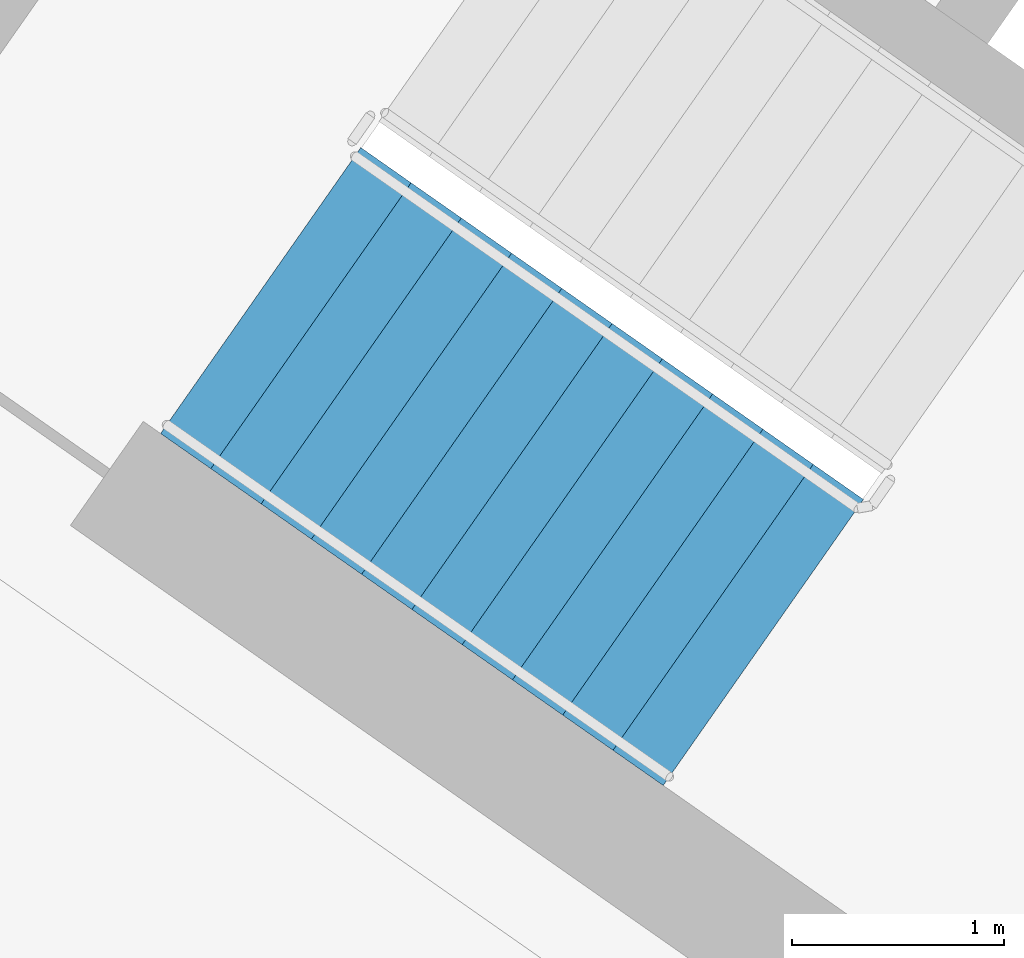
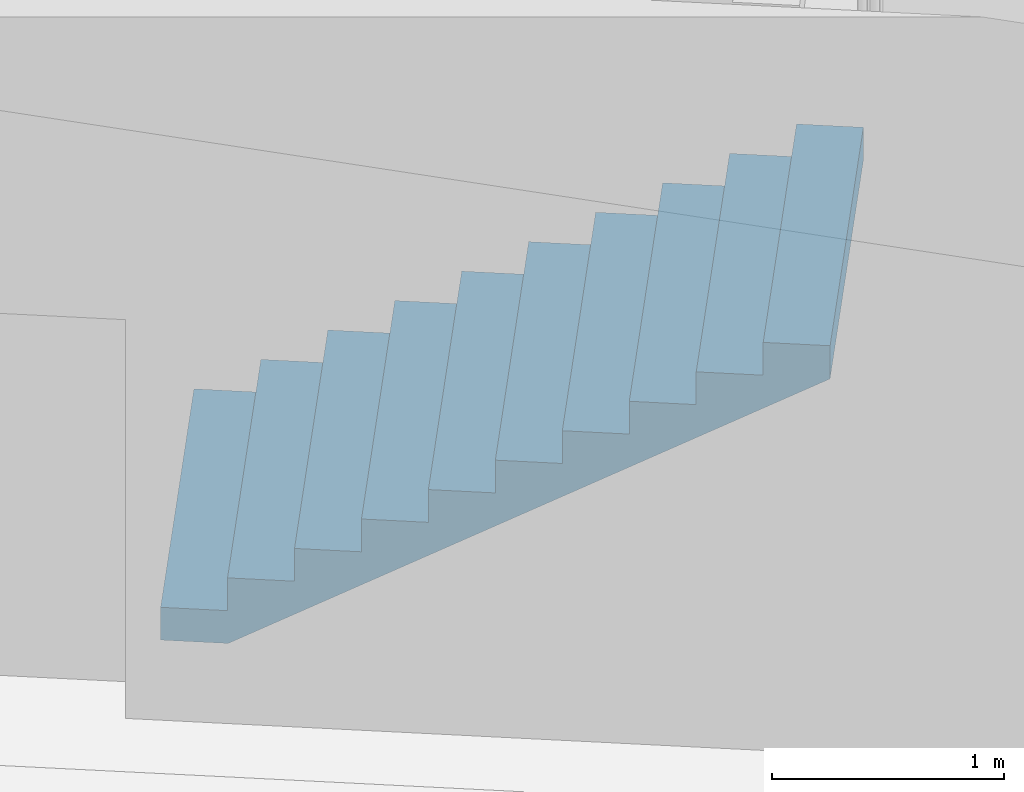
# One storey, part 9 of 28: 1 stair flight, 1 element without a shape of its own.
"""IFC4 building model written with IfcOpenShell, lengths in metres."""

import ifcopenshell
import ifcopenshell.guid

model = None  # the IFC model being written
_history = None  # IfcOwnerHistory: only IFC2X3 demands one
_inside = {}  # id of a spatial element -> (the spatial element, [elements in it])
_under = {}  # id of a project, library or spatial element -> (it, [spatial elements below it])
_declared = {}  # id of a project -> (the project, [libraries it declares])
_typed = {}  # id of a type object -> (the type object, [elements of that type])
_made_of = {}  # id of a material, layer set ... -> (it, [elements and type objects made of it])


def new_model(schema):
    """Start an empty IFC model of exactly this schema.

    Asked for "IFC4X3", IfcOpenShell would pick the latest addendum, in which some entities
    have other attributes; the version numbers below select the first issue.
    IFC2X3 requires an IfcOwnerHistory on every rooted entity: one is made here for all.
    """
    global model, _history
    if schema == "IFC4X3":
        model = ifcopenshell.file(schema_version=(4, 3, 0, 0))
    else:
        model = ifcopenshell.file(schema=schema)
    _inside.clear()
    _under.clear()
    _declared.clear()
    _typed.clear()
    _made_of.clear()
    _history = None
    if model.schema == "IFC2X3":
        org = make("IfcOrganization", Name="unknown")
        user = make(
            "IfcPersonAndOrganization",
            ThePerson=make("IfcPerson", FamilyName="unknown"),
            TheOrganization=org,
        )
        app = make(
            "IfcApplication",
            ApplicationDeveloper=org,
            Version="unknown",
            ApplicationFullName="unknown",
            ApplicationIdentifier="unknown",
        )
        _history = make(
            "IfcOwnerHistory",
            OwningUser=user,
            OwningApplication=app,
            ChangeAction="ADDED",
            CreationDate=0,
        )
    return model


def make(cls, **values):
    """One entity of the class cls with the attributes given. An attribute that is None is left unset."""
    return model.create_entity(
        cls, **{name: value for name, value in values.items() if value is not None}
    )


def rooted(cls, **values):
    """An entity with a GlobalId (a new one), such as an element, a storey or a relation."""
    return make(cls, GlobalId=ifcopenshell.guid.new(), OwnerHistory=_history, **values)


def si_unit(unit_type, name, prefix=None):
    """IfcSIUnit, for example si_unit("LENGTHUNIT", "METRE", prefix="MILLI")."""
    return make("IfcSIUnit", UnitType=unit_type, Prefix=prefix, Name=name)


def assignment(units):
    """IfcUnitAssignment: the units of a project."""
    return None if units is None else make("IfcUnitAssignment", Units=units)


def point(xyz):
    """IfcCartesianPoint."""
    return None if xyz is None else make("IfcCartesianPoint", Coordinates=xyz)


def direction(xyz):
    """IfcDirection."""
    return None if xyz is None else make("IfcDirection", DirectionRatios=xyz)


def frame(location, z_axis=None, x_axis=None):
    """IfcAxis2Placement3D, a coordinate frame: its origin and axes. An axis left out is left unset."""
    return make(
        "IfcAxis2Placement3D",
        Location=point(location),
        Axis=direction(z_axis),
        RefDirection=direction(x_axis),
    )


def origin():
    """The frame at (0, 0, 0) with its axes left unset."""
    return frame((0.0, 0.0, 0.0))


def place(relative_to, where):
    """IfcLocalPlacement: puts the frame where relative to a parent placement (None: the world)."""
    return make(
        "IfcLocalPlacement", PlacementRelTo=relative_to, RelativePlacement=where
    )


def context(
    kind, dimensions, precision=None, world=None, true_north=None, identifier=None
):
    """IfcGeometricRepresentationContext, for example the 3D "Model" context."""
    return make(
        "IfcGeometricRepresentationContext",
        ContextIdentifier=identifier,
        ContextType=kind,
        CoordinateSpaceDimension=dimensions,
        Precision=precision,
        WorldCoordinateSystem=world,
        TrueNorth=true_north,
    )


def subcontext(parent, identifier, kind, view, scale=None):
    """IfcGeometricRepresentationSubContext, for example "Body" below "Model"."""
    return make(
        "IfcGeometricRepresentationSubContext",
        ContextIdentifier=identifier,
        ContextType=kind,
        ParentContext=parent,
        TargetScale=scale,
        TargetView=view,
    )


def project(units=None, contexts=None):
    """IfcProject with its units and contexts."""
    return rooted(
        "IfcProject",
        Name="project",
        RepresentationContexts=contexts,
        UnitsInContext=assignment(units),
    )


def spatial(cls, under=None, at=None, **own):
    """A site, building, storey or space (cls), placed at a placement, below another one or the project."""
    s = rooted(cls, ObjectPlacement=at, **own)
    if under is not None:
        _under.setdefault(under.id(), (under, []))[1].append(s)
    return s


def faces_of(points, faces, orient=None, outer=None):
    """IfcFace entities. A face is a list of loops; a loop is a list of indices into points, from 0.

    orient and outer hold one flag for each loop. By default every Orientation is true, the
    first loop of a face is its IfcFaceOuterBound and the others are IfcFaceBound.
    """
    made = []
    for i, loops in enumerate(faces):
        bounds = []
        for j, loop in enumerate(loops):
            is_outer = j == 0 if outer is None else outer[i][j]
            bounds.append(
                make(
                    "IfcFaceOuterBound" if is_outer else "IfcFaceBound",
                    Bound=make("IfcPolyLoop", Polygon=[points[k] for k in loop]),
                    Orientation=True if orient is None else orient[i][j],
                )
            )
        made.append(make("IfcFace", Bounds=bounds))
    return made


def faceted_brep(points, faces, orient=None, outer=None, voids=None):
    """IfcFacetedBrep: a solid bounded by flat faces; with voids (closed shells), ...WithVoids."""
    shared = [point(p) for p in points]
    hull = make("IfcClosedShell", CfsFaces=faces_of(shared, faces, orient, outer))
    if voids is None:
        return make("IfcFacetedBrep", Outer=hull)
    return make(
        "IfcFacetedBrepWithVoids",
        Outer=hull,
        Voids=[
            make(cls, CfsFaces=faces_of(shared, fs, o, b)) for cls, fs, o, b in voids
        ],
    )


def shape(context_of_items, identifier, shape_type, items):
    """IfcShapeRepresentation: the items that make up one representation, for example the "Body"."""
    return make(
        "IfcShapeRepresentation",
        ContextOfItems=context_of_items,
        RepresentationIdentifier=identifier,
        RepresentationType=shape_type,
        Items=items,
    )


def material(Name=None, Category=None):
    """IfcMaterial."""
    return make("IfcMaterial", Name=Name, Category=Category)


def made_of(thing, what):
    """Note that an element or type object is made of a material, layer set ...; save() writes the relation."""
    if what is not None:
        _made_of.setdefault(what.id(), (what, []))[1].append(thing)
    return thing


def type_object(cls, material=None, **own):
    """A type object (cls), such as IfcWallType, which elements share."""
    return made_of(rooted(cls, **own), material)


def element(
    cls,
    number,
    at=None,
    inside=None,
    cuts=None,
    type_object=None,
    material=None,
    context=None,
    identifier="Body",
    shape_type=None,
    held_by="IfcProductDefinitionShape",
    body=None,
    shapes=None,
    **own,
):
    """One element of the class cls, such as IfcWall. Its Tag is "e" and its number.

    at: its placement. inside: the storey or other place that contains it. cuts: it is an
    opening in that element (IfcRelVoidsElement). A single representation is given by context,
    identifier, shape_type and body (its items); several are given by shapes. held_by: the class
    of the entity that holds the representations. save() writes the other relations.
    """
    e = rooted(cls, Tag="e%d" % number, ObjectPlacement=at, **own)
    if body is not None:
        shapes = [shape(context, identifier, shape_type, body)]
    if shapes is not None:
        e.Representation = make(held_by, Representations=shapes)
    if inside is not None:
        _inside.setdefault(inside.id(), (inside, []))[1].append(e)
    if cuts is not None:
        rooted(
            "IfcRelVoidsElement", RelatingBuildingElement=cuts, RelatedOpeningElement=e
        )
    if type_object is not None:
        _typed.setdefault(type_object.id(), (type_object, []))[1].append(e)
    return made_of(e, material)


def aggregate(whole, parts):
    """IfcRelAggregates: a whole, such as a stair, and the parts it consists of."""
    return rooted("IfcRelAggregates", RelatingObject=whole, RelatedObjects=parts)


def save(model, path):
    """Write the relations noted so far, then the file.

    IfcRelAggregates (storeys below a building ...), IfcRelContainedInSpatialStructure (elements
    in a storey), IfcRelDefinesByType, IfcRelAssociatesMaterial and IfcRelDeclares: one each for
    every whole, place, type object, material and project.
    """
    for whole, parts in _under.values():
        aggregate(whole, parts)
    for where, things in _inside.values():
        rooted(
            "IfcRelContainedInSpatialStructure",
            RelatedElements=things,
            RelatingStructure=where,
        )
    for kind, things in _typed.values():
        rooted("IfcRelDefinesByType", RelatedObjects=things, RelatingType=kind)
    for what, things in _made_of.values():
        rooted("IfcRelAssociatesMaterial", RelatedObjects=things, RelatingMaterial=what)
    for by, libraries in _declared.values():
        rooted("IfcRelDeclares", RelatingContext=by, RelatedDefinitions=libraries)
    model.write(path)


model = new_model("IFC4")

# Units and contexts
model_context = context("Model", 3, precision=1e-05, world=origin(), true_north=direction((0.0, 1.0)))
body_context = subcontext(model_context, "Body", "Model", "MODEL_VIEW")
ifc_project = project(units=[si_unit("LENGTHUNIT", "METRE"), si_unit("AREAUNIT", "SQUARE_METRE"), si_unit("VOLUMEUNIT", "CUBIC_METRE"), si_unit("PLANEANGLEUNIT", "RADIAN"), si_unit("MASSUNIT", "GRAM", prefix="KILO")], contexts=[model_context])

# Site, building, storey
site_placement = place(None, origin())
site = spatial("IfcSite", under=ifc_project, at=site_placement, CompositionType="ELEMENT")
building_placement = place(site_placement, origin())
building = spatial("IfcBuilding", under=site, at=building_placement, Name="Qamariyya Broadcast Tower", CompositionType="ELEMENT")
storey_placement = place(building_placement, frame((0.0, 0.0, 241.699951171875)))
storey = spatial("IfcBuildingStorey", under=building, at=storey_placement, Name="L58", CompositionType="ELEMENT", Elevation=241.699951171875)

# Stair, stair flight
ifc_material = material(Name="Concrete C50/60", Category="concrete")
stair_type = type_object("IfcStairType", Name="Exit stair 22 risers of 173 mm", PredefinedType="HALF_TURN_STAIR", material=ifc_material)
stair_placement = place(storey_placement, origin())
stair = element("IfcStair", 1, at=stair_placement, inside=storey, type_object=stair_type, Name="L58 Stair W1", PredefinedType="HALF_TURN_STAIR")
stair_flight_type = type_object("IfcStairFlightType", Name="Exit stair flight 11 risers of 173 mm", PredefinedType="STRAIGHT", material=ifc_material)
stair_flight_placement = place(storey_placement, frame((-47.06884765625, -56.982666015625, 0.0), z_axis=(0.0, 0.0, 1.0), x_axis=(0.819152044289, -0.573576436351, 0.0)))
stair_flight = element("IfcStairFlight", 2, at=stair_flight_placement, type_object=stair_flight_type, Name="ST-W1 flight 1", NumberOfRisers=11, NumberOfTreads=10, PredefinedType="STRAIGHT", RiserHeight=0.172727273, TreadLength=0.29, context=body_context, shape_type="Brep", body=[
    faceted_brep([(0.0, 0.824951171875, 0.0), (0.0, 0.824951171875, 0.172607421875), (0.2900390625, 0.824951171875, 0.172607421875), (0.2900390625, 0.824951171875, 0.345458984375), (0.580078125, 0.824951171875, 0.345458984375), (0.580078125, 0.824951171875, 0.51806640625), (0.8701171875, 0.824951171875, 0.51806640625), (0.8701171875, 0.824951171875, 0.69091796875), (1.159912109375, 0.824951171875, 0.69091796875), (1.159912109375, 0.824951171875, 0.863525390625), (1.449951171875, 0.824951171875, 0.863525390625), (1.449951171875, 0.824951171875, 1.036376953125), (1.739990234375, 0.824951171875, 1.036376953125), (1.739990234375, 0.824951171875, 1.208984375), (2.030029296875, 0.824951171875, 1.208984375), (2.030029296875, 0.824951171875, 1.3818359375), (2.320068359375, 0.824951171875, 1.3818359375), (2.320068359375, 0.824951171875, 1.554443359375), (2.610107421875, 0.824951171875, 1.554443359375), (2.610107421875, 0.824951171875, 1.727294921875), (2.89990234375, 0.824951171875, 1.727294921875), (2.89990234375, 0.824951171875, 1.552734375), (0.29296875, 0.824951171875, 0.0), (0.29296875, -0.824951171875, 0.0), (2.89990234375, -0.824951171875, 1.552734375), (2.89990234375, -0.824951171875, 1.727294921875), (2.610107421875, -0.824951171875, 1.727294921875), (2.610107421875, -0.824951171875, 1.554443359375), (2.320068359375, -0.824951171875, 1.554443359375), (2.320068359375, -0.824951171875, 1.3818359375), (2.030029296875, -0.824951171875, 1.3818359375), (2.030029296875, -0.824951171875, 1.208984375), (1.739990234375, -0.824951171875, 1.208984375), (1.739990234375, -0.824951171875, 1.036376953125), (1.449951171875, -0.824951171875, 1.036376953125), (1.449951171875, -0.824951171875, 0.863525390625), (1.159912109375, -0.824951171875, 0.863525390625), (1.159912109375, -0.824951171875, 0.69091796875), (0.8701171875, -0.824951171875, 0.69091796875), (0.8701171875, -0.824951171875, 0.51806640625), (0.580078125, -0.824951171875, 0.51806640625), (0.580078125, -0.824951171875, 0.345458984375), (0.2900390625, -0.824951171875, 0.345458984375), (0.2900390625, -0.824951171875, 0.172607421875), (0.0, -0.824951171875, 0.172607421875), (0.0, -0.824951171875, 0.0), (0.0, 0.10009765625, 0.0), (0.0, 0.086669921875, 0.0), (0.0, 0.0732421875, 0.0), (0.0, 0.06005859375, 0.0), (0.0, 0.046630859375, 0.0), (0.0, 0.033447265625, 0.0), (0.0, 0.02001953125, 0.0), (0.0, 0.006591796875, 0.0), (0.0, -0.006591796875, 0.0), (0.0, -0.02001953125, 0.0), (0.0, -0.033447265625, 0.0), (0.0, -0.046630859375, 0.0), (0.0, -0.06005859375, 0.0), (0.0, -0.0732421875, 0.0), (0.0, -0.086669921875, 0.0), (0.0, -0.10009765625, 0.0), (0.0, -0.10009765625, 0.172607421875), (0.0, -0.086669921875, 0.172607421875), (0.0, -0.0732421875, 0.172607421875), (0.0, -0.06005859375, 0.172607421875), (0.0, -0.046630859375, 0.172607421875), (0.0, -0.033447265625, 0.172607421875), (0.0, -0.02001953125, 0.172607421875), (0.0, -0.006591796875, 0.172607421875), (0.0, 0.006591796875, 0.172607421875), (0.0, 0.02001953125, 0.172607421875), (0.0, 0.033447265625, 0.172607421875), (0.0, 0.046630859375, 0.172607421875), (0.0, 0.06005859375, 0.172607421875), (0.0, 0.0732421875, 0.172607421875), (0.0, 0.086669921875, 0.172607421875), (0.0, 0.10009765625, 0.172607421875), (0.2900390625, -0.10009765625, 0.172607421875), (0.2900390625, -0.086669921875, 0.172607421875), (0.2900390625, -0.0732421875, 0.172607421875), (0.2900390625, -0.06005859375, 0.172607421875), (0.2900390625, -0.046630859375, 0.172607421875), (0.2900390625, -0.033447265625, 0.172607421875), (0.2900390625, -0.02001953125, 0.172607421875), (0.2900390625, -0.006591796875, 0.172607421875), (0.2900390625, 0.006591796875, 0.172607421875), (0.2900390625, 0.02001953125, 0.172607421875), (0.2900390625, 0.033447265625, 0.172607421875), (0.2900390625, 0.046630859375, 0.172607421875), (0.2900390625, 0.06005859375, 0.172607421875), (0.2900390625, 0.0732421875, 0.172607421875), (0.2900390625, 0.086669921875, 0.172607421875), (0.2900390625, 0.10009765625, 0.172607421875), (0.2900390625, -0.10009765625, 0.345458984375), (0.2900390625, -0.086669921875, 0.345458984375), (0.2900390625, -0.0732421875, 0.345458984375), (0.2900390625, -0.06005859375, 0.345458984375), (0.2900390625, -0.046630859375, 0.345458984375), (0.2900390625, -0.033447265625, 0.345458984375), (0.2900390625, -0.02001953125, 0.345458984375), (0.2900390625, -0.006591796875, 0.345458984375), (0.2900390625, 0.006591796875, 0.345458984375), (0.2900390625, 0.02001953125, 0.345458984375), (0.2900390625, 0.033447265625, 0.345458984375), (0.2900390625, 0.046630859375, 0.345458984375), (0.2900390625, 0.06005859375, 0.345458984375), (0.2900390625, 0.0732421875, 0.345458984375), (0.2900390625, 0.086669921875, 0.345458984375), (0.2900390625, 0.10009765625, 0.345458984375), (0.580078125, -0.10009765625, 0.345458984375), (0.580078125, -0.086669921875, 0.345458984375), (0.580078125, -0.0732421875, 0.345458984375), (0.580078125, -0.06005859375, 0.345458984375), (0.580078125, -0.046630859375, 0.345458984375), (0.580078125, -0.033447265625, 0.345458984375), (0.580078125, -0.02001953125, 0.345458984375), (0.580078125, -0.006591796875, 0.345458984375), (0.580078125, 0.006591796875, 0.345458984375), (0.580078125, 0.02001953125, 0.345458984375), (0.580078125, 0.033447265625, 0.345458984375), (0.580078125, 0.046630859375, 0.345458984375), (0.580078125, 0.06005859375, 0.345458984375), (0.580078125, 0.0732421875, 0.345458984375), (0.580078125, 0.086669921875, 0.345458984375), (0.580078125, 0.10009765625, 0.345458984375), (0.580078125, -0.10009765625, 0.51806640625), (0.580078125, -0.086669921875, 0.51806640625), (0.580078125, -0.0732421875, 0.51806640625), (0.580078125, -0.06005859375, 0.51806640625), (0.580078125, -0.046630859375, 0.51806640625), (0.580078125, -0.033447265625, 0.51806640625), (0.580078125, -0.02001953125, 0.51806640625), (0.580078125, -0.006591796875, 0.51806640625), (0.580078125, 0.006591796875, 0.51806640625), (0.580078125, 0.02001953125, 0.51806640625), (0.580078125, 0.033447265625, 0.51806640625), (0.580078125, 0.046630859375, 0.51806640625), (0.580078125, 0.06005859375, 0.51806640625), (0.580078125, 0.0732421875, 0.51806640625), (0.580078125, 0.086669921875, 0.51806640625), (0.580078125, 0.10009765625, 0.51806640625), (0.8701171875, -0.10009765625, 0.51806640625), (0.8701171875, -0.086669921875, 0.51806640625), (0.8701171875, -0.0732421875, 0.51806640625), (0.8701171875, -0.06005859375, 0.51806640625), (0.8701171875, -0.046630859375, 0.51806640625), (0.8701171875, -0.033447265625, 0.51806640625), (0.8701171875, -0.02001953125, 0.51806640625), (0.8701171875, -0.006591796875, 0.51806640625), (0.8701171875, 0.006591796875, 0.51806640625), (0.8701171875, 0.02001953125, 0.51806640625), (0.8701171875, 0.033447265625, 0.51806640625), (0.8701171875, 0.046630859375, 0.51806640625), (0.8701171875, 0.06005859375, 0.51806640625), (0.8701171875, 0.0732421875, 0.51806640625), (0.8701171875, 0.086669921875, 0.51806640625), (0.8701171875, 0.10009765625, 0.51806640625), (0.8701171875, -0.10009765625, 0.69091796875), (0.8701171875, -0.086669921875, 0.69091796875), (0.8701171875, -0.0732421875, 0.69091796875), (0.8701171875, -0.06005859375, 0.69091796875), (0.8701171875, -0.046630859375, 0.69091796875), (0.8701171875, -0.033447265625, 0.69091796875), (0.8701171875, -0.02001953125, 0.69091796875), (0.8701171875, -0.006591796875, 0.69091796875), (0.8701171875, 0.006591796875, 0.69091796875), (0.8701171875, 0.02001953125, 0.69091796875), (0.8701171875, 0.033447265625, 0.69091796875), (0.8701171875, 0.046630859375, 0.69091796875), (0.8701171875, 0.06005859375, 0.69091796875), (0.8701171875, 0.0732421875, 0.69091796875), (0.8701171875, 0.086669921875, 0.69091796875), (0.8701171875, 0.10009765625, 0.69091796875), (1.159912109375, -0.10009765625, 0.69091796875), (1.159912109375, -0.086669921875, 0.69091796875), (1.159912109375, -0.0732421875, 0.69091796875), (1.159912109375, -0.06005859375, 0.69091796875), (1.159912109375, -0.046630859375, 0.69091796875), (1.159912109375, -0.033447265625, 0.69091796875), (1.159912109375, -0.02001953125, 0.69091796875), (1.159912109375, -0.006591796875, 0.69091796875), (1.159912109375, 0.006591796875, 0.69091796875), (1.159912109375, 0.02001953125, 0.69091796875), (1.159912109375, 0.033447265625, 0.69091796875), (1.159912109375, 0.046630859375, 0.69091796875), (1.159912109375, 0.06005859375, 0.69091796875), (1.159912109375, 0.0732421875, 0.69091796875), (1.159912109375, 0.086669921875, 0.69091796875), (1.159912109375, 0.10009765625, 0.69091796875), (1.159912109375, -0.10009765625, 0.863525390625), (1.159912109375, -0.086669921875, 0.863525390625), (1.159912109375, -0.0732421875, 0.863525390625), (1.159912109375, -0.06005859375, 0.863525390625), (1.159912109375, -0.046630859375, 0.863525390625), (1.159912109375, -0.033447265625, 0.863525390625), (1.159912109375, -0.02001953125, 0.863525390625), (1.159912109375, -0.006591796875, 0.863525390625), (1.159912109375, 0.006591796875, 0.863525390625), (1.159912109375, 0.02001953125, 0.863525390625), (1.159912109375, 0.033447265625, 0.863525390625), (1.159912109375, 0.046630859375, 0.863525390625), (1.159912109375, 0.06005859375, 0.863525390625), (1.159912109375, 0.0732421875, 0.863525390625), (1.159912109375, 0.086669921875, 0.863525390625), (1.159912109375, 0.10009765625, 0.863525390625), (1.449951171875, -0.10009765625, 0.863525390625), (1.449951171875, -0.086669921875, 0.863525390625), (1.449951171875, -0.0732421875, 0.863525390625), (1.449951171875, -0.06005859375, 0.863525390625), (1.449951171875, -0.046630859375, 0.863525390625), (1.449951171875, -0.033447265625, 0.863525390625), (1.449951171875, -0.02001953125, 0.863525390625), (1.449951171875, -0.006591796875, 0.863525390625), (1.449951171875, 0.006591796875, 0.863525390625), (1.449951171875, 0.02001953125, 0.863525390625), (1.449951171875, 0.033447265625, 0.863525390625), (1.449951171875, 0.046630859375, 0.863525390625), (1.449951171875, 0.06005859375, 0.863525390625), (1.449951171875, 0.0732421875, 0.863525390625), (1.449951171875, 0.086669921875, 0.863525390625), (1.449951171875, 0.10009765625, 0.863525390625), (1.449951171875, -0.10009765625, 1.036376953125), (1.449951171875, -0.086669921875, 1.036376953125), (1.449951171875, -0.0732421875, 1.036376953125), (1.449951171875, -0.06005859375, 1.036376953125), (1.449951171875, -0.046630859375, 1.036376953125), (1.449951171875, -0.033447265625, 1.036376953125), (1.449951171875, -0.02001953125, 1.036376953125), (1.449951171875, -0.006591796875, 1.036376953125), (1.449951171875, 0.006591796875, 1.036376953125), (1.449951171875, 0.02001953125, 1.036376953125), (1.449951171875, 0.033447265625, 1.036376953125), (1.449951171875, 0.046630859375, 1.036376953125), (1.449951171875, 0.06005859375, 1.036376953125), (1.449951171875, 0.0732421875, 1.036376953125), (1.449951171875, 0.086669921875, 1.036376953125), (1.449951171875, 0.10009765625, 1.036376953125), (1.739990234375, -0.10009765625, 1.036376953125), (1.739990234375, -0.086669921875, 1.036376953125), (1.739990234375, -0.0732421875, 1.036376953125), (1.739990234375, -0.06005859375, 1.036376953125), (1.739990234375, -0.046630859375, 1.036376953125), (1.739990234375, -0.033447265625, 1.036376953125), (1.739990234375, -0.02001953125, 1.036376953125), (1.739990234375, -0.006591796875, 1.036376953125), (1.739990234375, 0.006591796875, 1.036376953125), (1.739990234375, 0.02001953125, 1.036376953125), (1.739990234375, 0.033447265625, 1.036376953125), (1.739990234375, 0.046630859375, 1.036376953125), (1.739990234375, 0.06005859375, 1.036376953125), (1.739990234375, 0.0732421875, 1.036376953125), (1.739990234375, 0.086669921875, 1.036376953125), (1.739990234375, 0.10009765625, 1.036376953125), (1.739990234375, -0.10009765625, 1.208984375), (1.739990234375, -0.086669921875, 1.208984375), (1.739990234375, -0.0732421875, 1.208984375), (1.739990234375, -0.06005859375, 1.208984375), (1.739990234375, -0.046630859375, 1.208984375), (1.739990234375, -0.033447265625, 1.208984375), (1.739990234375, -0.02001953125, 1.208984375), (1.739990234375, -0.006591796875, 1.208984375), (1.739990234375, 0.006591796875, 1.208984375), (1.739990234375, 0.02001953125, 1.208984375), (1.739990234375, 0.033447265625, 1.208984375), (1.739990234375, 0.046630859375, 1.208984375), (1.739990234375, 0.06005859375, 1.208984375), (1.739990234375, 0.0732421875, 1.208984375), (1.739990234375, 0.086669921875, 1.208984375), (1.739990234375, 0.10009765625, 1.208984375), (2.030029296875, -0.10009765625, 1.208984375), (2.030029296875, -0.086669921875, 1.208984375), (2.030029296875, -0.0732421875, 1.208984375), (2.030029296875, -0.06005859375, 1.208984375), (2.030029296875, -0.046630859375, 1.208984375), (2.030029296875, -0.033447265625, 1.208984375), (2.030029296875, -0.02001953125, 1.208984375), (2.030029296875, -0.006591796875, 1.208984375), (2.030029296875, 0.006591796875, 1.208984375), (2.030029296875, 0.02001953125, 1.208984375), (2.030029296875, 0.033447265625, 1.208984375), (2.030029296875, 0.046630859375, 1.208984375), (2.030029296875, 0.06005859375, 1.208984375), (2.030029296875, 0.0732421875, 1.208984375), (2.030029296875, 0.086669921875, 1.208984375), (2.030029296875, 0.10009765625, 1.208984375), (2.030029296875, -0.10009765625, 1.3818359375), (2.030029296875, -0.086669921875, 1.3818359375), (2.030029296875, -0.0732421875, 1.3818359375), (2.030029296875, -0.06005859375, 1.3818359375), (2.030029296875, -0.046630859375, 1.3818359375), (2.030029296875, -0.033447265625, 1.3818359375), (2.030029296875, -0.02001953125, 1.3818359375), (2.030029296875, -0.006591796875, 1.3818359375), (2.030029296875, 0.006591796875, 1.3818359375), (2.030029296875, 0.02001953125, 1.3818359375), (2.030029296875, 0.033447265625, 1.3818359375), (2.030029296875, 0.046630859375, 1.3818359375), (2.030029296875, 0.06005859375, 1.3818359375), (2.030029296875, 0.0732421875, 1.3818359375), (2.030029296875, 0.086669921875, 1.3818359375), (2.030029296875, 0.10009765625, 1.3818359375), (2.320068359375, -0.10009765625, 1.3818359375), (2.320068359375, -0.086669921875, 1.3818359375), (2.320068359375, -0.0732421875, 1.3818359375), (2.320068359375, -0.06005859375, 1.3818359375), (2.320068359375, -0.046630859375, 1.3818359375), (2.320068359375, -0.033447265625, 1.3818359375), (2.320068359375, -0.02001953125, 1.3818359375), (2.320068359375, -0.006591796875, 1.3818359375), (2.320068359375, 0.006591796875, 1.3818359375), (2.320068359375, 0.02001953125, 1.3818359375), (2.320068359375, 0.033447265625, 1.3818359375), (2.320068359375, 0.046630859375, 1.3818359375), (2.320068359375, 0.06005859375, 1.3818359375), (2.320068359375, 0.0732421875, 1.3818359375), (2.320068359375, 0.086669921875, 1.3818359375), (2.320068359375, 0.10009765625, 1.3818359375), (2.320068359375, -0.10009765625, 1.554443359375), (2.320068359375, -0.086669921875, 1.554443359375), (2.320068359375, -0.0732421875, 1.554443359375), (2.320068359375, -0.06005859375, 1.554443359375), (2.320068359375, -0.046630859375, 1.554443359375), (2.320068359375, -0.033447265625, 1.554443359375), (2.320068359375, -0.02001953125, 1.554443359375), (2.320068359375, -0.006591796875, 1.554443359375), (2.320068359375, 0.006591796875, 1.554443359375), (2.320068359375, 0.02001953125, 1.554443359375), (2.320068359375, 0.033447265625, 1.554443359375), (2.320068359375, 0.046630859375, 1.554443359375), (2.320068359375, 0.06005859375, 1.554443359375), (2.320068359375, 0.0732421875, 1.554443359375), (2.320068359375, 0.086669921875, 1.554443359375), (2.320068359375, 0.10009765625, 1.554443359375), (2.610107421875, -0.10009765625, 1.554443359375), (2.610107421875, -0.086669921875, 1.554443359375), (2.610107421875, -0.0732421875, 1.554443359375), (2.610107421875, -0.06005859375, 1.554443359375), (2.610107421875, -0.046630859375, 1.554443359375), (2.610107421875, -0.033447265625, 1.554443359375), (2.610107421875, -0.02001953125, 1.554443359375), (2.610107421875, -0.006591796875, 1.554443359375), (2.610107421875, 0.006591796875, 1.554443359375), (2.610107421875, 0.02001953125, 1.554443359375), (2.610107421875, 0.033447265625, 1.554443359375), (2.610107421875, 0.046630859375, 1.554443359375), (2.610107421875, 0.06005859375, 1.554443359375), (2.610107421875, 0.0732421875, 1.554443359375), (2.610107421875, 0.086669921875, 1.554443359375), (2.610107421875, 0.10009765625, 1.554443359375), (2.610107421875, -0.10009765625, 1.727294921875), (2.610107421875, -0.086669921875, 1.727294921875), (2.610107421875, -0.0732421875, 1.727294921875), (2.610107421875, -0.06005859375, 1.727294921875), (2.610107421875, -0.046630859375, 1.727294921875), (2.610107421875, -0.033447265625, 1.727294921875), (2.610107421875, -0.02001953125, 1.727294921875), (2.610107421875, -0.006591796875, 1.727294921875), (2.610107421875, 0.006591796875, 1.727294921875), (2.610107421875, 0.02001953125, 1.727294921875), (2.610107421875, 0.033447265625, 1.727294921875), (2.610107421875, 0.046630859375, 1.727294921875), (2.610107421875, 0.06005859375, 1.727294921875), (2.610107421875, 0.0732421875, 1.727294921875), (2.610107421875, 0.086669921875, 1.727294921875), (2.610107421875, 0.10009765625, 1.727294921875), (2.89990234375, -0.10009765625, 1.727294921875), (2.89990234375, -0.086669921875, 1.727294921875), (2.89990234375, -0.0732421875, 1.727294921875), (2.89990234375, -0.06005859375, 1.727294921875), (2.89990234375, -0.046630859375, 1.727294921875), (2.89990234375, -0.033447265625, 1.727294921875), (2.89990234375, -0.02001953125, 1.727294921875), (2.89990234375, -0.006591796875, 1.727294921875), (2.89990234375, 0.006591796875, 1.727294921875), (2.89990234375, 0.02001953125, 1.727294921875), (2.89990234375, 0.033447265625, 1.727294921875), (2.89990234375, 0.046630859375, 1.727294921875), (2.89990234375, 0.06005859375, 1.727294921875), (2.89990234375, 0.0732421875, 1.727294921875), (2.89990234375, 0.086669921875, 1.727294921875), (2.89990234375, 0.10009765625, 1.727294921875), (2.89990234375, -0.10009765625, 1.552734375), (2.89990234375, -0.086669921875, 1.552734375), (2.89990234375, -0.0732421875, 1.552734375), (2.89990234375, -0.06005859375, 1.552734375), (2.89990234375, -0.046630859375, 1.552734375), (2.89990234375, -0.033447265625, 1.552734375), (2.89990234375, -0.02001953125, 1.552734375), (2.89990234375, -0.006591796875, 1.552734375), (2.89990234375, 0.006591796875, 1.552734375), (2.89990234375, 0.02001953125, 1.552734375), (2.89990234375, 0.033447265625, 1.552734375), (2.89990234375, 0.046630859375, 1.552734375), (2.89990234375, 0.06005859375, 1.552734375), (2.89990234375, 0.0732421875, 1.552734375), (2.89990234375, 0.086669921875, 1.552734375), (2.89990234375, 0.10009765625, 1.552734375), (0.29296875, -0.10009765625, 0.0), (0.29296875, -0.086669921875, 0.0), (0.29296875, -0.0732421875, 0.0), (0.29296875, -0.06005859375, 0.0), (0.29296875, -0.046630859375, 0.0), (0.29296875, -0.033447265625, 0.0), (0.29296875, -0.02001953125, 0.0), (0.29296875, -0.006591796875, 0.0), (0.29296875, 0.006591796875, 0.0), (0.29296875, 0.02001953125, 0.0), (0.29296875, 0.033447265625, 0.0), (0.29296875, 0.046630859375, 0.0), (0.29296875, 0.06005859375, 0.0), (0.29296875, 0.0732421875, 0.0), (0.29296875, 0.086669921875, 0.0), (0.29296875, 0.10009765625, 0.0)], [[[0, 1, 2, 3, 4, 5, 6, 7, 8, 9, 10, 11, 12, 13, 14, 15, 16, 17, 18, 19, 20, 21, 22]], [[23, 24, 25, 26, 27, 28, 29, 30, 31, 32, 33, 34, 35, 36, 37, 38, 39, 40, 41, 42, 43, 44, 45]], [[0, 46, 47, 48, 49, 50, 51, 52, 53, 54, 55, 56, 57, 58, 59, 60, 61, 45, 44, 62, 63, 64, 65, 66, 67, 68, 69, 70, 71, 72, 73, 74, 75, 76, 77, 1]], [[1, 77, 76, 75, 74, 73, 72, 71, 70, 69, 68, 67, 66, 65, 64, 63, 62, 44, 43, 78, 79, 80, 81, 82, 83, 84, 85, 86, 87, 88, 89, 90, 91, 92, 93, 2]], [[2, 93, 92, 91, 90, 89, 88, 87, 86, 85, 84, 83, 82, 81, 80, 79, 78, 43, 42, 94, 95, 96, 97, 98, 99, 100, 101, 102, 103, 104, 105, 106, 107, 108, 109, 3]], [[3, 109, 108, 107, 106, 105, 104, 103, 102, 101, 100, 99, 98, 97, 96, 95, 94, 42, 41, 110, 111, 112, 113, 114, 115, 116, 117, 118, 119, 120, 121, 122, 123, 124, 125, 4]], [[4, 125, 124, 123, 122, 121, 120, 119, 118, 117, 116, 115, 114, 113, 112, 111, 110, 41, 40, 126, 127, 128, 129, 130, 131, 132, 133, 134, 135, 136, 137, 138, 139, 140, 141, 5]], [[5, 141, 140, 139, 138, 137, 136, 135, 134, 133, 132, 131, 130, 129, 128, 127, 126, 40, 39, 142, 143, 144, 145, 146, 147, 148, 149, 150, 151, 152, 153, 154, 155, 156, 157, 6]], [[6, 157, 156, 155, 154, 153, 152, 151, 150, 149, 148, 147, 146, 145, 144, 143, 142, 39, 38, 158, 159, 160, 161, 162, 163, 164, 165, 166, 167, 168, 169, 170, 171, 172, 173, 7]], [[7, 173, 172, 171, 170, 169, 168, 167, 166, 165, 164, 163, 162, 161, 160, 159, 158, 38, 37, 174, 175, 176, 177, 178, 179, 180, 181, 182, 183, 184, 185, 186, 187, 188, 189, 8]], [[8, 189, 188, 187, 186, 185, 184, 183, 182, 181, 180, 179, 178, 177, 176, 175, 174, 37, 36, 190, 191, 192, 193, 194, 195, 196, 197, 198, 199, 200, 201, 202, 203, 204, 205, 9]], [[9, 205, 204, 203, 202, 201, 200, 199, 198, 197, 196, 195, 194, 193, 192, 191, 190, 36, 35, 206, 207, 208, 209, 210, 211, 212, 213, 214, 215, 216, 217, 218, 219, 220, 221, 10]], [[10, 221, 220, 219, 218, 217, 216, 215, 214, 213, 212, 211, 210, 209, 208, 207, 206, 35, 34, 222, 223, 224, 225, 226, 227, 228, 229, 230, 231, 232, 233, 234, 235, 236, 237, 11]], [[11, 237, 236, 235, 234, 233, 232, 231, 230, 229, 228, 227, 226, 225, 224, 223, 222, 34, 33, 238, 239, 240, 241, 242, 243, 244, 245, 246, 247, 248, 249, 250, 251, 252, 253, 12]], [[12, 253, 252, 251, 250, 249, 248, 247, 246, 245, 244, 243, 242, 241, 240, 239, 238, 33, 32, 254, 255, 256, 257, 258, 259, 260, 261, 262, 263, 264, 265, 266, 267, 268, 269, 13]], [[13, 269, 268, 267, 266, 265, 264, 263, 262, 261, 260, 259, 258, 257, 256, 255, 254, 32, 31, 270, 271, 272, 273, 274, 275, 276, 277, 278, 279, 280, 281, 282, 283, 284, 285, 14]], [[14, 285, 284, 283, 282, 281, 280, 279, 278, 277, 276, 275, 274, 273, 272, 271, 270, 31, 30, 286, 287, 288, 289, 290, 291, 292, 293, 294, 295, 296, 297, 298, 299, 300, 301, 15]], [[15, 301, 300, 299, 298, 297, 296, 295, 294, 293, 292, 291, 290, 289, 288, 287, 286, 30, 29, 302, 303, 304, 305, 306, 307, 308, 309, 310, 311, 312, 313, 314, 315, 316, 317, 16]], [[16, 317, 316, 315, 314, 313, 312, 311, 310, 309, 308, 307, 306, 305, 304, 303, 302, 29, 28, 318, 319, 320, 321, 322, 323, 324, 325, 326, 327, 328, 329, 330, 331, 332, 333, 17]], [[17, 333, 332, 331, 330, 329, 328, 327, 326, 325, 324, 323, 322, 321, 320, 319, 318, 28, 27, 334, 335, 336, 337, 338, 339, 340, 341, 342, 343, 344, 345, 346, 347, 348, 349, 18]], [[18, 349, 348, 347, 346, 345, 344, 343, 342, 341, 340, 339, 338, 337, 336, 335, 334, 27, 26, 350, 351, 352, 353, 354, 355, 356, 357, 358, 359, 360, 361, 362, 363, 364, 365, 19]], [[19, 365, 364, 363, 362, 361, 360, 359, 358, 357, 356, 355, 354, 353, 352, 351, 350, 26, 25, 366, 367, 368, 369, 370, 371, 372, 373, 374, 375, 376, 377, 378, 379, 380, 381, 20]], [[20, 381, 380, 379, 378, 377, 376, 375, 374, 373, 372, 371, 370, 369, 368, 367, 366, 25, 24, 382, 383, 384, 385, 386, 387, 388, 389, 390, 391, 392, 393, 394, 395, 396, 397, 21]], [[21, 397, 396, 395, 394, 393, 392, 391, 390, 389, 388, 387, 386, 385, 384, 383, 382, 24, 23, 398, 399, 400, 401, 402, 403, 404, 405, 406, 407, 408, 409, 410, 411, 412, 413, 22]], [[22, 413, 412, 411, 410, 409, 408, 407, 406, 405, 404, 403, 402, 401, 400, 399, 398, 23, 45, 61, 60, 59, 58, 57, 56, 55, 54, 53, 52, 51, 50, 49, 48, 47, 46, 0]]]),
])
aggregate(stair, [stair_flight])

save(model, "model.ifc")
